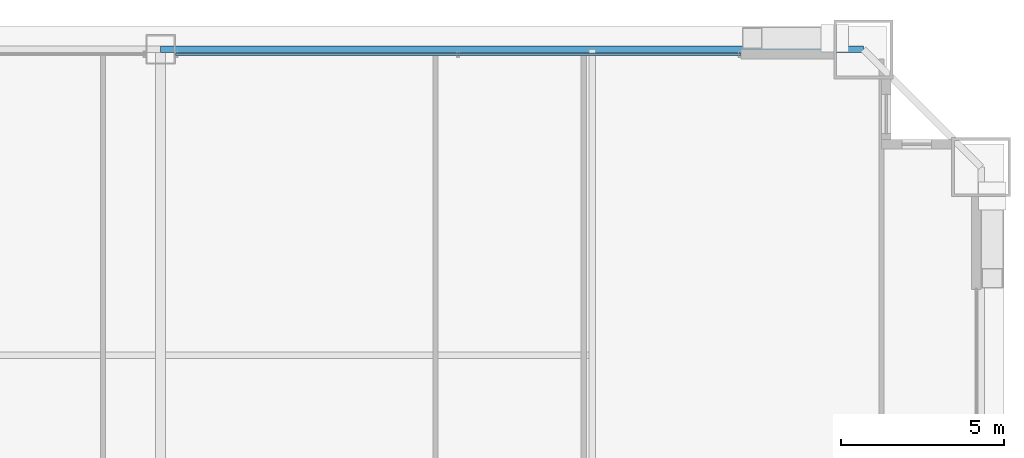
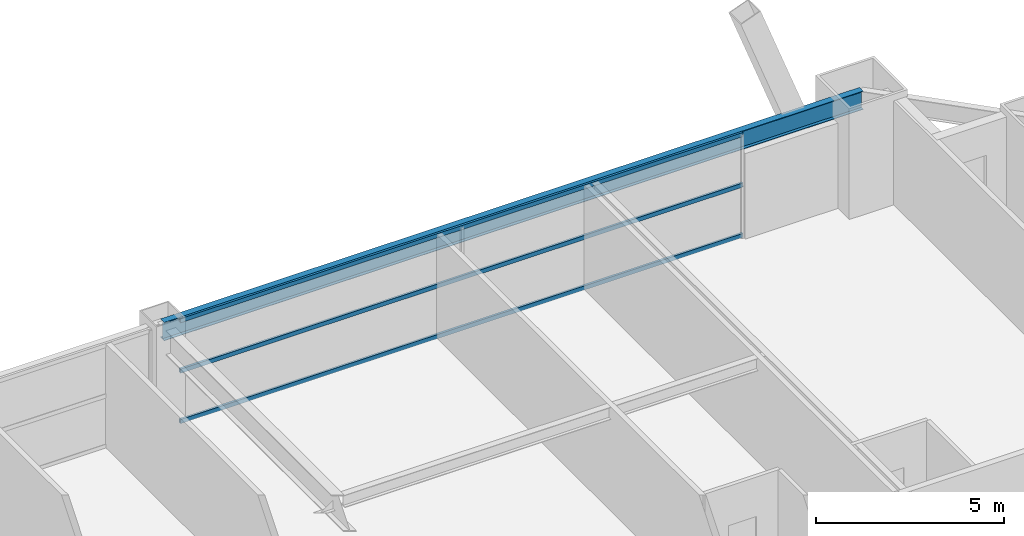
# One storey, part 36 of 43: 3 members, 1 beam, 1 element without a shape of its own.
"""IFC4 building model written with IfcOpenShell, lengths in metres."""

from ifc_helpers import new_model, si_unit, direction, frame, origin, origin_2d, place, context, subcontext, project, spatial, hollow_rectangle, i_section, extrude, source, transform, mapped, material, layer, layer_set, material_profile, profile_set, type_object, element, aggregate, save


model = new_model("IFC4")

# Units and contexts
model_context = context("Model", 3, precision=1e-05, world=origin(), true_north=direction((0.0, 1.0)))
body_context = subcontext(model_context, "Body", "Model", "MODEL_VIEW")
ifc_project = project(units=[si_unit("LENGTHUNIT", "METRE"), si_unit("AREAUNIT", "SQUARE_METRE"), si_unit("VOLUMEUNIT", "CUBIC_METRE"), si_unit("PLANEANGLEUNIT", "RADIAN"), si_unit("MASSUNIT", "GRAM", prefix="KILO"), si_unit("THERMODYNAMICTEMPERATUREUNIT", "KELVIN"), si_unit("POWERUNIT", "WATT")], contexts=[model_context])

# Site, building, storey
site_placement = place(None, origin())
site = spatial("IfcSite", under=ifc_project, at=site_placement, CompositionType="ELEMENT")
building_placement = place(site_placement, origin())
building = spatial("IfcBuilding", under=site, at=building_placement, Name="Yuzanri Waterfront Tower", CompositionType="ELEMENT")
storey_placement = place(building_placement, frame((0.0, 0.0, 74.800048828125)))
storey = spatial("IfcBuildingStorey", under=building, at=storey_placement, Name="L19", CompositionType="ELEMENT", Elevation=74.800048828125)

# Beam
ifc_material_1 = material(Name="Steel Q355B", Category="steel")
ifc_material_profile_1 = material_profile(ifc_material_1, i_section(OverallWidth=0.199951171875, OverallDepth=0.60009765625, WebThickness=0.010986328125, FlangeThickness=0.01708984375, at=origin_2d()), Name="HN 600x200x11x17")
ifc_profile_set_1 = profile_set([ifc_material_profile_1], Name="Steel Q355B")
beam_type = type_object("IfcBeamType", Name="Perimeter Spandrel Q355B HN 600x200", PredefinedType="SPANDREL", material=ifc_profile_set_1)
shared_shape_1 = source(origin(), body_context, "Body", "SweptSolid", [
    extrude(i_section(OverallWidth=0.199951171875, OverallDepth=0.60009765625, WebThickness=0.010986328125, FlangeThickness=0.01708984375, at=origin_2d()), origin(), (0.0, 0.0, 1.0), 21.5),
])
beam_placement = place(storey_placement, frame((58.5, 50.89990234375, 3.079833984375), z_axis=(-1.0, 0.0, 0.0), x_axis=(0.0, -1.0, 0.0)))
element("IfcBeam", 1, at=beam_placement, inside=storey, type_object=beam_type, Name="L19 Perimeter Spandrel N3-N2", PredefinedType="SPANDREL", context=body_context, shape_type="MappedRepresentation", body=[
    mapped(shared_shape_1, transform((0.0, 0.0, 0.0), scale=1.0)),
])

# Curtain wall, members
ifc_material_2 = material(Name="Anodized Architectural Bronze", Category="metal")
ifc_layer = layer(ifc_material_2, 0.159912109375)
ifc_layer_set = layer_set([ifc_layer], Name="Anodized Architectural Bronze")
curtain_wall_type = type_object("IfcCurtainWallType", Name="Anodized Bronze Hotel Lower-Tier Recessed Unitized Curtain Wall 8100", PredefinedType="NOTDEFINED", material=ifc_layer_set)
curtain_wall_placement = place(storey_placement, origin())
curtain_wall = element("IfcCurtainWall", 2, at=curtain_wall_placement, inside=storey, type_object=curtain_wall_type, Name="L19 Curtain Wall CW-L19-NR", PredefinedType="NOTDEFINED")
ifc_material_3 = material(Name="Anodized Architectural Bronze", Category="metal")
ifc_material_profile_2 = material_profile(ifc_material_3, hollow_rectangle(XDim=0.070068359375, YDim=0.135009765625, WallThickness=0.00341796875, at=origin_2d()), Name="CWT 70x135")
ifc_profile_set_2 = profile_set([ifc_material_profile_2], Name="Anodized Architectural Bronze")
member_type = type_object("IfcMemberType", Name="Anodized Bronze Standard Curtain-Wall Transom 70x135", PredefinedType="USERDEFINED", material=ifc_profile_set_2)
shared_shape_2 = source(origin(), body_context, "Body", "SweptSolid", [
    extrude(hollow_rectangle(XDim=0.070068359375, YDim=0.135009765625, WallThickness=0.00341796875, at=origin_2d()), origin(), (0.0, 0.0, 1.0), 17.300048828125),
])
member_1_placement = place(storey_placement, frame((37.449951171875, 50.75, 0.050048828125), z_axis=(1.0, 0.0, 0.0), x_axis=(0.0, 1.0, 0.0)))
member_1 = element("IfcMember", 3, at=member_1_placement, type_object=member_type, Name="CW-L19-NR Transom 1", ObjectType="TRANSOM", PredefinedType="USERDEFINED", context=body_context, shape_type="MappedRepresentation", body=[
    mapped(shared_shape_2, transform((0.0, 0.0, 0.0), scale=1.0)),
])
member_2_placement = place(storey_placement, frame((37.449951171875, 50.75, 1.68994140625), z_axis=(1.0, 0.0, 0.0), x_axis=(0.0, 1.0, 0.0)))
member_2 = element("IfcMember", 4, at=member_2_placement, type_object=member_type, Name="CW-L19-NR Transom 2", ObjectType="TRANSOM", PredefinedType="USERDEFINED", context=body_context, shape_type="MappedRepresentation", body=[
    mapped(shared_shape_2, transform((0.0, 0.0, 0.0), scale=1.0)),
])
member_3_placement = place(storey_placement, frame((37.449951171875, 50.75, 3.329833984375), z_axis=(1.0, 0.0, 0.0), x_axis=(0.0, 1.0, 0.0)))
member_3 = element("IfcMember", 5, at=member_3_placement, type_object=member_type, Name="CW-L19-NR Transom 3", ObjectType="TRANSOM", PredefinedType="USERDEFINED", context=body_context, shape_type="MappedRepresentation", body=[
    mapped(shared_shape_2, transform((0.0, 0.0, 0.0), scale=1.0)),
])
aggregate(curtain_wall, [member_1, member_2, member_3])

save(model, "model.ifc")
